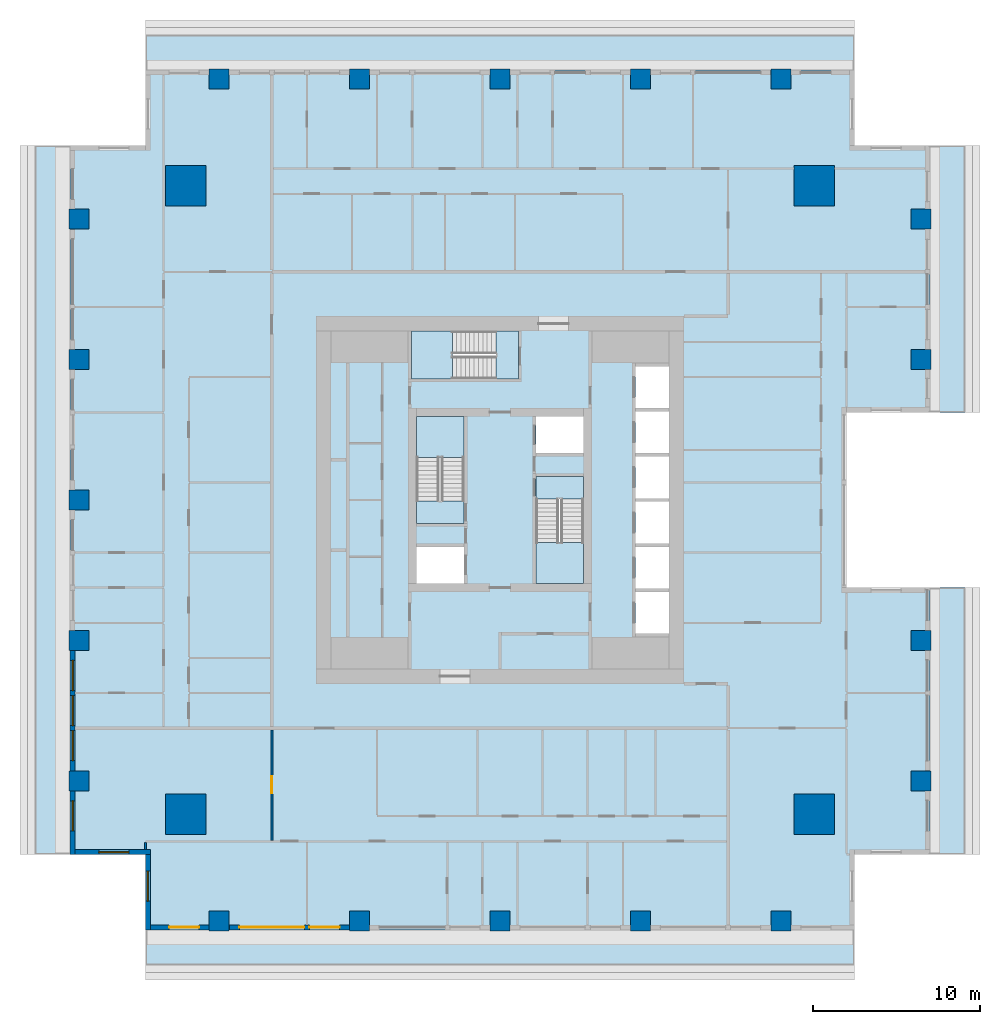
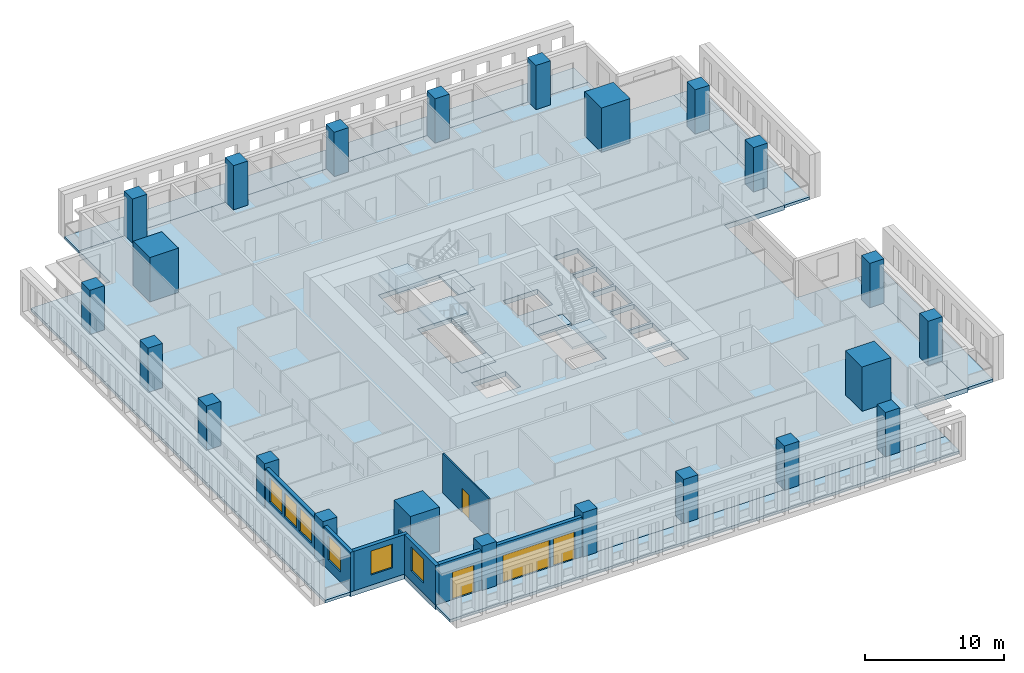
# One storey, part 1 of 15: 23 columns, 12 slabs, 8 walls, 6 windows, 4 doors, 10 openings, 3 elements without a shape of their own.
"""IFC4 building model written with IfcOpenShell, lengths in metres."""

import ifcopenshell
import ifcopenshell.guid

model = None  # the IFC model being written
_history = None  # IfcOwnerHistory: only IFC2X3 demands one
_inside = {}  # id of a spatial element -> (the spatial element, [elements in it])
_under = {}  # id of a project, library or spatial element -> (it, [spatial elements below it])
_declared = {}  # id of a project -> (the project, [libraries it declares])
_typed = {}  # id of a type object -> (the type object, [elements of that type])
_made_of = {}  # id of a material, layer set ... -> (it, [elements and type objects made of it])


def new_model(schema):
    """Start an empty IFC model of exactly this schema.

    Asked for "IFC4X3", IfcOpenShell would pick the latest addendum, in which some entities
    have other attributes; the version numbers below select the first issue.
    IFC2X3 requires an IfcOwnerHistory on every rooted entity: one is made here for all.
    """
    global model, _history
    if schema == "IFC4X3":
        model = ifcopenshell.file(schema_version=(4, 3, 0, 0))
    else:
        model = ifcopenshell.file(schema=schema)
    _inside.clear()
    _under.clear()
    _declared.clear()
    _typed.clear()
    _made_of.clear()
    _history = None
    if model.schema == "IFC2X3":
        org = make("IfcOrganization", Name="unknown")
        user = make(
            "IfcPersonAndOrganization",
            ThePerson=make("IfcPerson", FamilyName="unknown"),
            TheOrganization=org,
        )
        app = make(
            "IfcApplication",
            ApplicationDeveloper=org,
            Version="unknown",
            ApplicationFullName="unknown",
            ApplicationIdentifier="unknown",
        )
        _history = make(
            "IfcOwnerHistory",
            OwningUser=user,
            OwningApplication=app,
            ChangeAction="ADDED",
            CreationDate=0,
        )
    return model


def make(cls, **values):
    """One entity of the class cls with the attributes given. An attribute that is None is left unset."""
    return model.create_entity(
        cls, **{name: value for name, value in values.items() if value is not None}
    )


def rooted(cls, **values):
    """An entity with a GlobalId (a new one), such as an element, a storey or a relation."""
    return make(cls, GlobalId=ifcopenshell.guid.new(), OwnerHistory=_history, **values)


def si_unit(unit_type, name, prefix=None):
    """IfcSIUnit, for example si_unit("LENGTHUNIT", "METRE", prefix="MILLI")."""
    return make("IfcSIUnit", UnitType=unit_type, Prefix=prefix, Name=name)


def assignment(units):
    """IfcUnitAssignment: the units of a project."""
    return None if units is None else make("IfcUnitAssignment", Units=units)


def point(xyz):
    """IfcCartesianPoint."""
    return None if xyz is None else make("IfcCartesianPoint", Coordinates=xyz)


def direction(xyz):
    """IfcDirection."""
    return None if xyz is None else make("IfcDirection", DirectionRatios=xyz)


def frame(location, z_axis=None, x_axis=None):
    """IfcAxis2Placement3D, a coordinate frame: its origin and axes. An axis left out is left unset."""
    return make(
        "IfcAxis2Placement3D",
        Location=point(location),
        Axis=direction(z_axis),
        RefDirection=direction(x_axis),
    )


def frame_2d(location, x_axis=None):
    """IfcAxis2Placement2D, a coordinate frame in the plane: its origin and x axis."""
    return make(
        "IfcAxis2Placement2D", Location=point(location), RefDirection=direction(x_axis)
    )


def origin():
    """The frame at (0, 0, 0) with its axes left unset."""
    return frame((0.0, 0.0, 0.0))


def origin_2d():
    """The frame at (0, 0) in the plane with its x axis left unset."""
    return frame_2d((0.0, 0.0))


def place(relative_to, where):
    """IfcLocalPlacement: puts the frame where relative to a parent placement (None: the world)."""
    return make(
        "IfcLocalPlacement", PlacementRelTo=relative_to, RelativePlacement=where
    )


def context(
    kind, dimensions, precision=None, world=None, true_north=None, identifier=None
):
    """IfcGeometricRepresentationContext, for example the 3D "Model" context."""
    return make(
        "IfcGeometricRepresentationContext",
        ContextIdentifier=identifier,
        ContextType=kind,
        CoordinateSpaceDimension=dimensions,
        Precision=precision,
        WorldCoordinateSystem=world,
        TrueNorth=true_north,
    )


def subcontext(parent, identifier, kind, view, scale=None):
    """IfcGeometricRepresentationSubContext, for example "Body" below "Model"."""
    return make(
        "IfcGeometricRepresentationSubContext",
        ContextIdentifier=identifier,
        ContextType=kind,
        ParentContext=parent,
        TargetScale=scale,
        TargetView=view,
    )


def project(units=None, contexts=None):
    """IfcProject with its units and contexts."""
    return rooted(
        "IfcProject",
        Name="project",
        RepresentationContexts=contexts,
        UnitsInContext=assignment(units),
    )


def spatial(cls, under=None, at=None, **own):
    """A site, building, storey or space (cls), placed at a placement, below another one or the project."""
    s = rooted(cls, ObjectPlacement=at, **own)
    if under is not None:
        _under.setdefault(under.id(), (under, []))[1].append(s)
    return s


def polyline(points):
    """IfcPolyline through the points."""
    return make("IfcPolyline", Points=[point(p) for p in points])


def profile(cls, at=None, kind="AREA", **sizes):
    """A parametric profile (cls). Its sizes go by their IFC names, for example OverallWidth=200.0."""
    return make(cls, ProfileType=kind, Position=at, **sizes)


def rectangle(**sizes):
    """IfcRectangleProfileDef."""
    return profile("IfcRectangleProfileDef", **sizes)


def outline(outer, holes=None, kind="AREA"):
    """IfcArbitraryClosedProfileDef: a profile drawn as a closed curve; with holes, ...WithVoids."""
    if holes is None:
        return make("IfcArbitraryClosedProfileDef", ProfileType=kind, OuterCurve=outer)
    return make(
        "IfcArbitraryProfileDefWithVoids",
        ProfileType=kind,
        OuterCurve=outer,
        InnerCurves=holes,
    )


def extrude(swept, where, along, depth):
    """IfcExtrudedAreaSolid: the profile swept, set in the frame where, extruded along a direction by depth."""
    return make(
        "IfcExtrudedAreaSolid",
        SweptArea=swept,
        Position=where,
        ExtrudedDirection=direction(along),
        Depth=depth,
    )


def shape(context_of_items, identifier, shape_type, items):
    """IfcShapeRepresentation: the items that make up one representation, for example the "Body"."""
    return make(
        "IfcShapeRepresentation",
        ContextOfItems=context_of_items,
        RepresentationIdentifier=identifier,
        RepresentationType=shape_type,
        Items=items,
    )


def material(Name=None, Category=None):
    """IfcMaterial."""
    return make("IfcMaterial", Name=Name, Category=Category)


def layer(
    of_material, thickness, ventilated=None, Name=None, Category=None, Priority=None
):
    """IfcMaterialLayer: one layer of a wall or slab, of a material (None: an air gap)."""
    return make(
        "IfcMaterialLayer",
        Material=of_material,
        LayerThickness=thickness,
        IsVentilated=ventilated,
        Name=Name,
        Category=Category,
        Priority=Priority,
    )


def layer_set(layers, Name=None):
    """IfcMaterialLayerSet."""
    return make("IfcMaterialLayerSet", MaterialLayers=layers, LayerSetName=Name)


def material_profile(
    of_material, cross_section, Name=None, Category=None, Priority=None
):
    """IfcMaterialProfile: a cross section and its material."""
    return make(
        "IfcMaterialProfile",
        Name=Name,
        Material=of_material,
        Profile=cross_section,
        Priority=Priority,
        Category=Category,
    )


def profile_set(profiles, Name=None, composite=None):
    """IfcMaterialProfileSet."""
    return make(
        "IfcMaterialProfileSet",
        Name=Name,
        MaterialProfiles=profiles,
        CompositeProfile=composite,
    )


def made_of(thing, what):
    """Note that an element or type object is made of a material, layer set ...; save() writes the relation."""
    if what is not None:
        _made_of.setdefault(what.id(), (what, []))[1].append(thing)
    return thing


def type_object(cls, material=None, **own):
    """A type object (cls), such as IfcWallType, which elements share."""
    return made_of(rooted(cls, **own), material)


def element(
    cls,
    number,
    at=None,
    inside=None,
    cuts=None,
    type_object=None,
    material=None,
    context=None,
    identifier="Body",
    shape_type=None,
    held_by="IfcProductDefinitionShape",
    body=None,
    shapes=None,
    **own,
):
    """One element of the class cls, such as IfcWall. Its Tag is "e" and its number.

    at: its placement. inside: the storey or other place that contains it. cuts: it is an
    opening in that element (IfcRelVoidsElement). A single representation is given by context,
    identifier, shape_type and body (its items); several are given by shapes. held_by: the class
    of the entity that holds the representations. save() writes the other relations.
    """
    e = rooted(cls, Tag="e%d" % number, ObjectPlacement=at, **own)
    if body is not None:
        shapes = [shape(context, identifier, shape_type, body)]
    if shapes is not None:
        e.Representation = make(held_by, Representations=shapes)
    if inside is not None:
        _inside.setdefault(inside.id(), (inside, []))[1].append(e)
    if cuts is not None:
        rooted(
            "IfcRelVoidsElement", RelatingBuildingElement=cuts, RelatedOpeningElement=e
        )
    if type_object is not None:
        _typed.setdefault(type_object.id(), (type_object, []))[1].append(e)
    return made_of(e, material)


def fill(opening, filler):
    """IfcRelFillsElement: the door or window that sits in an opening."""
    return rooted(
        "IfcRelFillsElement",
        RelatingOpeningElement=opening,
        RelatedBuildingElement=filler,
    )


def aggregate(whole, parts):
    """IfcRelAggregates: a whole, such as a stair, and the parts it consists of."""
    return rooted("IfcRelAggregates", RelatingObject=whole, RelatedObjects=parts)


def save(model, path):
    """Write the relations noted so far, then the file.

    IfcRelAggregates (storeys below a building ...), IfcRelContainedInSpatialStructure (elements
    in a storey), IfcRelDefinesByType, IfcRelAssociatesMaterial and IfcRelDeclares: one each for
    every whole, place, type object, material and project.
    """
    for whole, parts in _under.values():
        aggregate(whole, parts)
    for where, things in _inside.values():
        rooted(
            "IfcRelContainedInSpatialStructure",
            RelatedElements=things,
            RelatingStructure=where,
        )
    for kind, things in _typed.values():
        rooted("IfcRelDefinesByType", RelatedObjects=things, RelatingType=kind)
    for what, things in _made_of.values():
        rooted("IfcRelAssociatesMaterial", RelatedObjects=things, RelatingMaterial=what)
    for by, libraries in _declared.values():
        rooted("IfcRelDeclares", RelatingContext=by, RelatedDefinitions=libraries)
    model.write(path)


model = new_model("IFC4")

# Units and contexts
model_context = context("Model", 3, precision=1e-05, world=origin(), true_north=direction((0.0, 1.0)))
body_context = subcontext(model_context, "Body", "Model", "MODEL_VIEW")
ifc_project = project(units=[si_unit("LENGTHUNIT", "METRE"), si_unit("AREAUNIT", "SQUARE_METRE"), si_unit("VOLUMEUNIT", "CUBIC_METRE"), si_unit("PLANEANGLEUNIT", "RADIAN"), si_unit("MASSUNIT", "GRAM", prefix="KILO")], contexts=[model_context])

# Site, building, storey
site_placement = place(None, origin())
site = spatial("IfcSite", under=ifc_project, at=site_placement, CompositionType="ELEMENT")
building_placement = place(site_placement, origin())
building = spatial("IfcBuilding", under=site, at=building_placement, Name="Khepri Terraces", CompositionType="ELEMENT")
storey_placement = place(building_placement, frame((0.0, 0.0, 200.10009765625)))
storey = spatial("IfcBuildingStorey", under=building, at=storey_placement, Name="L47", CompositionType="ELEMENT", Elevation=200.10009765625)

# Columns
ifc_material_1 = material(Name="Concrete C50/60", Category="concrete")
ifc_material_profile_1 = material_profile(ifc_material_1, rectangle(XDim=2.39990234375, YDim=2.39990234375, at=origin_2d()), Name="Concrete C50/60", Category="concrete")
ifc_profile_set_1 = profile_set([ifc_material_profile_1], Name="Concrete C50/60")
column_type_1 = type_object("IfcColumnType", Name="Mega column RC 2400x2400 C50/60", PredefinedType="COLUMN", material=ifc_profile_set_1)
for number, where, z_axis, x_axis, name in (
    (1, (18.800048828125, 18.800048828125, 0.0), (0.0, 0.0, 1.0), (1.0, 0.0, 0.0), "Mega column MEN L47"),
    (2, (18.800048828125, -18.800048828125, 0.0), (0.0, 0.0, 1.0), (1.0, 0.0, 0.0), "Mega column MES L47"),
    (3, (-18.800048828125, 18.800048828125, 0.0), (0.0, 0.0, 1.0), (1.0, 0.0, 0.0), "Mega column MWN L47"),
    (4, (-18.800048828125, -18.800048828125, 0.0), (0.0, 0.0, 1.0), (1.0, 0.0, 0.0), "Mega column MWS L47"),
):
    element("IfcColumn", number, at=place(storey_placement, frame(where, z_axis=z_axis, x_axis=x_axis)), inside=storey, type_object=column_type_1, Name=name, PredefinedType="COLUMN", context=body_context, shape_type="SweptSolid", body=[
        extrude(rectangle(XDim=2.39990234375, YDim=2.39990234375, at=origin_2d()), origin(), (0.0, 0.0, 1.0), 3.89990234375),
    ])
ifc_material_profile_2 = material_profile(ifc_material_1, rectangle(XDim=1.199951171875, YDim=1.199951171875, at=origin_2d()), Name="Concrete C50/60", Category="concrete")
ifc_profile_set_2 = profile_set([ifc_material_profile_2], Name="Concrete C50/60")
column_type_2 = type_object("IfcColumnType", Name="Tower column RC 1200x1200 C50/60", PredefinedType="COLUMN", material=ifc_profile_set_2)
for number, where, z_axis, x_axis, name in (
    (5, (25.199951171875, 8.39990234375, 0.0), (0.0, 0.0, 1.0), (1.0, 0.0, 0.0), "Perimeter column PE+084a L47"),
    (6, (25.199951171875, 16.800048828125, 0.0), (0.0, 0.0, 1.0), (1.0, 0.0, 0.0), "Perimeter column PE+168a L47"),
    (7, (25.199951171875, -8.39990234375, 0.0), (0.0, 0.0, 1.0), (1.0, 0.0, 0.0), "Perimeter column PE-084a L47"),
    (8, (25.199951171875, -16.800048828125, 0.0), (0.0, 0.0, 1.0), (1.0, 0.0, 0.0), "Perimeter column PE-168a L47"),
    (9, (0.0, 25.199951171875, 0.0), (0.0, 0.0, 1.0), (1.0, 0.0, 0.0), "Perimeter column PN+000b L47"),
    (10, (-8.39990234375, 25.199951171875, 0.0), (0.0, 0.0, 1.0), (1.0, 0.0, 0.0), "Perimeter column PN+084b L47"),
    (11, (-16.800048828125, 25.199951171875, 0.0), (0.0, 0.0, 1.0), (1.0, 0.0, 0.0), "Perimeter column PN+168a L47"),
    (12, (8.39990234375, 25.199951171875, 0.0), (0.0, 0.0, 1.0), (1.0, 0.0, 0.0), "Perimeter column PN-084b L47"),
    (13, (16.800048828125, 25.199951171875, 0.0), (0.0, 0.0, 1.0), (1.0, 0.0, 0.0), "Perimeter column PN-168a L47"),
    (14, (0.0, -25.199951171875, 0.0), (0.0, 0.0, 1.0), (1.0, 0.0, 0.0), "Perimeter column PS+000b L47"),
    (15, (8.39990234375, -25.199951171875, 0.0), (0.0, 0.0, 1.0), (1.0, 0.0, 0.0), "Perimeter column PS+084b L47"),
    (16, (16.800048828125, -25.199951171875, 0.0), (0.0, 0.0, 1.0), (1.0, 0.0, 0.0), "Perimeter column PS+168a L47"),
    (17, (-8.39990234375, -25.199951171875, 0.0), (0.0, 0.0, 1.0), (1.0, 0.0, 0.0), "Perimeter column PS-084b L47"),
    (18, (-16.800048828125, -25.199951171875, 0.0), (0.0, 0.0, 1.0), (1.0, 0.0, 0.0), "Perimeter column PS-168a L47"),
    (19, (-25.199951171875, 0.0, 0.0), (0.0, 0.0, 1.0), (1.0, 0.0, 0.0), "Perimeter column PW+000b L47"),
    (20, (-25.199951171875, -8.39990234375, 0.0), (0.0, 0.0, 1.0), (1.0, 0.0, 0.0), "Perimeter column PW+084b L47"),
    (21, (-25.199951171875, -16.800048828125, 0.0), (0.0, 0.0, 1.0), (1.0, 0.0, 0.0), "Perimeter column PW+168a L47"),
    (22, (-25.199951171875, 8.39990234375, 0.0), (0.0, 0.0, 1.0), (1.0, 0.0, 0.0), "Perimeter column PW-084b L47"),
    (23, (-25.199951171875, 16.800048828125, 0.0), (0.0, 0.0, 1.0), (1.0, 0.0, 0.0), "Perimeter column PW-168a L47"),
):
    element("IfcColumn", number, at=place(storey_placement, frame(where, z_axis=z_axis, x_axis=x_axis)), inside=storey, type_object=column_type_2, Name=name, PredefinedType="COLUMN", context=body_context, shape_type="SweptSolid", body=[
        extrude(rectangle(XDim=1.199951171875, YDim=1.199951171875, at=origin_2d()), origin(), (0.0, 0.0, 1.0), 3.89990234375),
    ])

# Slabs
ifc_material_2 = material(Name="Concrete C40/50", Category="concrete")
ifc_layer_1 = layer(ifc_material_2, 0.419921875, Name="Concrete C40/50", Category="concrete")
ifc_layer_set_1 = layer_set([ifc_layer_1], Name="Concrete C40/50")
slab_type_1 = type_object("IfcSlabType", Name="Flat plate 420", PredefinedType="FLOOR", material=ifc_layer_set_1)
slab_1_placement = place(storey_placement, frame((0.0, 0.0, -0.420166015625)))
element("IfcSlab", 24, at=slab_1_placement, inside=storey, type_object=slab_type_1, Name="Floor slab F01 L47", PredefinedType="FLOOR", context=body_context, shape_type="SweptSolid", body=[
    extrude(outline(polyline([(25.719970703125, 5.25), (20.719970703125, 5.25), (20.719970703125, -5.25), (25.719970703125, -5.25), (25.719970703125, -21.219970703125), (21.219970703125, -21.219970703125), (21.219970703125, -25.719970703125), (-21.219970703125, -25.719970703125), (-21.219970703125, -21.219970703125), (-25.719970703125, -21.219970703125), (-25.719970703125, 21.219970703125), (-21.219970703125, 21.219970703125), (-21.219970703125, 25.719970703125), (21.219970703125, 25.719970703125), (21.219970703125, 21.219970703125), (25.719970703125, 21.219970703125), (25.719970703125, 5.25)]), holes=[polyline([(2.14990234375, 2.800048828125), (5.0, 2.800048828125), (5.0, 5.0), (2.14990234375, 5.0), (2.14990234375, 2.800048828125)]), polyline([(-5.0, -2.800048828125), (-5.0, -5.0), (-2.14990234375, -5.0), (-2.14990234375, -2.800048828125), (-5.0, -2.800048828125)]), polyline([(10.10009765625, -5.5), (8.10009765625, -5.5), (8.10009765625, -8.0), (10.10009765625, -8.0), (10.10009765625, -5.5)]), polyline([(10.10009765625, -5.300048828125), (10.10009765625, -2.800048828125), (8.10009765625, -2.800048828125), (8.10009765625, -5.300048828125), (10.10009765625, -5.300048828125)]), polyline([(8.10009765625, -2.60009765625), (10.10009765625, -2.60009765625), (10.10009765625, -0.10009765625), (8.10009765625, -0.10009765625), (8.10009765625, -2.60009765625)]), polyline([(8.10009765625, 2.60009765625), (8.10009765625, 0.10009765625), (10.10009765625, 0.10009765625), (10.10009765625, 2.60009765625), (8.10009765625, 2.60009765625)]), polyline([(10.10009765625, 5.300048828125), (8.10009765625, 5.300048828125), (8.10009765625, 2.800048828125), (10.10009765625, 2.800048828125), (10.10009765625, 5.300048828125)]), polyline([(10.10009765625, 5.5), (10.10009765625, 8.0), (8.10009765625, 8.0), (8.10009765625, 5.5), (10.10009765625, 5.5)]), polyline([(-5.0, -1.39990234375), (-2.14990234375, -1.39990234375), (-2.14990234375, 5.0), (-5.0, 5.0), (-5.0, -1.39990234375)]), polyline([(5.0, -5.0), (5.0, 1.39990234375), (2.14990234375, 1.39990234375), (2.14990234375, -5.0), (5.0, -5.0)]), polyline([(-5.300048828125, 10.10009765625), (-5.300048828125, 7.25), (1.10009765625, 7.25), (1.10009765625, 10.10009765625), (-5.300048828125, 10.10009765625)])]), origin(), (0.0, 0.0, 1.0), 0.420166015625),
])
ifc_material_3 = material(Name="Precast concrete C50/60 warm stone", Category="masonry")
ifc_layer_2 = layer(ifc_material_3, 0.25, Name="Precast concrete C50/60 warm stone", Category="masonry")
ifc_layer_set_2 = layer_set([ifc_layer_2], Name="Precast concrete C50/60 warm stone")
slab_type_2 = type_object("IfcSlabType", Name="SLB-BALCONY-250", PredefinedType="FLOOR", material=ifc_layer_set_2)
slab_2_placement = place(storey_placement, frame((0.0, 0.0, -0.25)))
element("IfcSlab", 25, at=slab_2_placement, inside=storey, type_object=slab_type_2, Name="Balcony slab L47 S", PredefinedType="FLOOR", context=body_context, shape_type="SweptSolid", body=[
    extrude(outline(polyline([(-17.39990234375, -25.719970703125), (-21.219970703125, -25.719970703125), (-21.219970703125, -27.820068359375), (21.219970703125, -27.820068359375), (21.219970703125, -25.719970703125), (17.39990234375, -25.719970703125), (17.39990234375, -25.800048828125), (16.199951171875, -25.800048828125), (16.199951171875, -25.719970703125), (9.0, -25.719970703125), (9.0, -25.800048828125), (7.800048828125, -25.800048828125), (7.800048828125, -25.719970703125), (0.60009765625, -25.719970703125), (0.60009765625, -25.800048828125), (-0.60009765625, -25.800048828125), (-0.60009765625, -25.719970703125), (-7.800048828125, -25.719970703125), (-7.800048828125, -25.800048828125), (-9.0, -25.800048828125), (-9.0, -25.719970703125), (-16.199951171875, -25.719970703125), (-16.199951171875, -25.800048828125), (-17.39990234375, -25.800048828125), (-17.39990234375, -25.719970703125)])), origin(), (0.0, 0.0, 1.0), 0.25),
])
slab_3_placement = place(storey_placement, frame((0.0, 0.0, -0.25)))
element("IfcSlab", 26, at=slab_3_placement, inside=storey, type_object=slab_type_2, Name="Balcony slab L47 E", PredefinedType="FLOOR", context=body_context, shape_type="SweptSolid", body=[
    extrude(outline(polyline([(25.719970703125, -17.39990234375), (25.719970703125, -21.219970703125), (27.820068359375, -21.219970703125), (27.820068359375, -5.25), (25.719970703125, -5.25), (25.719970703125, -7.800048828125), (25.800048828125, -7.800048828125), (25.800048828125, -9.0), (25.719970703125, -9.0), (25.719970703125, -16.199951171875), (25.800048828125, -16.199951171875), (25.800048828125, -17.39990234375), (25.719970703125, -17.39990234375)])), origin(), (0.0, 0.0, 1.0), 0.25),
])
slab_4_placement = place(storey_placement, frame((0.0, 0.0, -0.25)))
element("IfcSlab", 27, at=slab_4_placement, inside=storey, type_object=slab_type_2, Name="Balcony slab L47 E", PredefinedType="FLOOR", context=body_context, shape_type="SweptSolid", body=[
    extrude(outline(polyline([(25.719970703125, 7.800048828125), (25.719970703125, 5.25), (27.820068359375, 5.25), (27.820068359375, 21.219970703125), (25.719970703125, 21.219970703125), (25.719970703125, 17.39990234375), (25.800048828125, 17.39990234375), (25.800048828125, 16.199951171875), (25.719970703125, 16.199951171875), (25.719970703125, 9.0), (25.800048828125, 9.0), (25.800048828125, 7.800048828125), (25.719970703125, 7.800048828125)])), origin(), (0.0, 0.0, 1.0), 0.25),
])
slab_5_placement = place(storey_placement, frame((0.0, 0.0, -0.25)))
element("IfcSlab", 28, at=slab_5_placement, inside=storey, type_object=slab_type_2, Name="Balcony slab L47 N", PredefinedType="FLOOR", context=body_context, shape_type="SweptSolid", body=[
    extrude(outline(polyline([(17.39990234375, 25.719970703125), (21.219970703125, 25.719970703125), (21.219970703125, 27.820068359375), (-21.219970703125, 27.820068359375), (-21.219970703125, 25.719970703125), (-17.39990234375, 25.719970703125), (-17.39990234375, 25.800048828125), (-16.199951171875, 25.800048828125), (-16.199951171875, 25.719970703125), (-9.0, 25.719970703125), (-9.0, 25.800048828125), (-7.800048828125, 25.800048828125), (-7.800048828125, 25.719970703125), (-0.60009765625, 25.719970703125), (-0.60009765625, 25.800048828125), (0.60009765625, 25.800048828125), (0.60009765625, 25.719970703125), (7.800048828125, 25.719970703125), (7.800048828125, 25.800048828125), (9.0, 25.800048828125), (9.0, 25.719970703125), (16.199951171875, 25.719970703125), (16.199951171875, 25.800048828125), (17.39990234375, 25.800048828125), (17.39990234375, 25.719970703125)])), origin(), (0.0, 0.0, 1.0), 0.25),
])
slab_6_placement = place(storey_placement, frame((0.0, 0.0, -0.25)))
element("IfcSlab", 29, at=slab_6_placement, inside=storey, type_object=slab_type_2, Name="Balcony slab L47 W", PredefinedType="FLOOR", context=body_context, shape_type="SweptSolid", body=[
    extrude(outline(polyline([(-25.719970703125, 17.39990234375), (-25.719970703125, 21.219970703125), (-27.820068359375, 21.219970703125), (-27.820068359375, -21.219970703125), (-25.719970703125, -21.219970703125), (-25.719970703125, -17.39990234375), (-25.800048828125, -17.39990234375), (-25.800048828125, -16.199951171875), (-25.719970703125, -16.199951171875), (-25.719970703125, -9.0), (-25.800048828125, -9.0), (-25.800048828125, -7.800048828125), (-25.719970703125, -7.800048828125), (-25.719970703125, -0.60009765625), (-25.800048828125, -0.60009765625), (-25.800048828125, 0.60009765625), (-25.719970703125, 0.60009765625), (-25.719970703125, 7.800048828125), (-25.800048828125, 7.800048828125), (-25.800048828125, 9.0), (-25.719970703125, 9.0), (-25.719970703125, 16.199951171875), (-25.800048828125, 16.199951171875), (-25.800048828125, 17.39990234375), (-25.719970703125, 17.39990234375)])), origin(), (0.0, 0.0, 1.0), 0.25),
])

# Stair, slabs
stair_type = type_object("IfcStairType", Name="STAIR-RC-22R", PredefinedType="HALF_TURN_STAIR", material=ifc_material_2)
stair_1_placement = place(storey_placement, origin())
stair_1 = element("IfcStair", 30, at=stair_1_placement, inside=storey, type_object=stair_type, Name="L47 Exit Stair ST-1", PredefinedType="HALF_TURN_STAIR")
ifc_layer_3 = layer(ifc_material_2, 0.199951171875, Name="Concrete C40/50", Category="concrete")
ifc_layer_set_3 = layer_set([ifc_layer_3], Name="Concrete C40/50")
slab_type_3 = type_object("IfcSlabType", Name="SLB-CORE-LANDING", PredefinedType="LANDING", material=ifc_layer_set_3)
slab_7_placement = place(storey_placement, frame((0.0, 0.0, -0.2001953125)))
slab_7 = element("IfcSlab", 31, at=slab_7_placement, type_object=slab_type_3, Name="ST-1 landing 1", PredefinedType="LANDING", context=body_context, shape_type="SweptSolid", body=[
    extrude(outline(polyline([(-2.14990234375, -1.39990234375), (-2.14990234375, -0.050048828125), (-5.0, -0.050048828125), (-5.0, -1.39990234375), (-2.14990234375, -1.39990234375)])), origin(), (0.0, 0.0, 1.0), 0.2001953125),
])
slab_8_placement = place(storey_placement, frame((0.0, 0.0, 1.75)))
slab_8 = element("IfcSlab", 32, at=slab_8_placement, type_object=slab_type_3, Name="ST-1 landing 2", PredefinedType="LANDING", context=body_context, shape_type="SweptSolid", body=[
    extrude(outline(polyline([(-2.14990234375, 2.550048828125), (-2.14990234375, 5.0), (-5.0, 5.0), (-5.0, 2.550048828125), (-2.14990234375, 2.550048828125)])), origin(), (0.0, 0.0, 1.0), 0.199951171875),
])
aggregate(stair_1, [slab_7, slab_8])

stair_2_placement = place(storey_placement, origin())
stair_2 = element("IfcStair", 33, at=stair_2_placement, inside=storey, type_object=stair_type, Name="L47 Exit Stair ST-2", PredefinedType="HALF_TURN_STAIR")
slab_9_placement = place(storey_placement, frame((0.0, 0.0, -0.2001953125)))
slab_9 = element("IfcSlab", 34, at=slab_9_placement, type_object=slab_type_3, Name="ST-2 landing 1", PredefinedType="LANDING", context=body_context, shape_type="SweptSolid", body=[
    extrude(outline(polyline([(2.14990234375, 1.39990234375), (2.14990234375, 0.050048828125), (5.0, 0.050048828125), (5.0, 1.39990234375), (2.14990234375, 1.39990234375)])), origin(), (0.0, 0.0, 1.0), 0.2001953125),
])
slab_10_placement = place(storey_placement, frame((0.0, 0.0, 1.75)))
slab_10 = element("IfcSlab", 35, at=slab_10_placement, type_object=slab_type_3, Name="ST-2 landing 2", PredefinedType="LANDING", context=body_context, shape_type="SweptSolid", body=[
    extrude(outline(polyline([(2.14990234375, -2.550048828125), (2.14990234375, -5.0), (5.0, -5.0), (5.0, -2.550048828125), (2.14990234375, -2.550048828125)])), origin(), (0.0, 0.0, 1.0), 0.199951171875),
])
aggregate(stair_2, [slab_9, slab_10])

stair_3_placement = place(storey_placement, origin())
stair_3 = element("IfcStair", 36, at=stair_3_placement, inside=storey, type_object=stair_type, Name="L47 Exit Stair ST-3", PredefinedType="HALF_TURN_STAIR")
slab_11_placement = place(storey_placement, frame((0.0, 0.0, -0.2001953125)))
slab_11 = element("IfcSlab", 37, at=slab_11_placement, type_object=slab_type_3, Name="ST-3 landing 1", PredefinedType="LANDING", context=body_context, shape_type="SweptSolid", body=[
    extrude(outline(polyline([(1.10009765625, 10.10009765625), (-0.25, 10.10009765625), (-0.25, 7.25), (1.10009765625, 7.25), (1.10009765625, 10.10009765625)])), origin(), (0.0, 0.0, 1.0), 0.2001953125),
])
slab_12_placement = place(storey_placement, frame((0.0, 0.0, 1.75)))
slab_12 = element("IfcSlab", 38, at=slab_12_placement, type_object=slab_type_3, Name="ST-3 landing 2", PredefinedType="LANDING", context=body_context, shape_type="SweptSolid", body=[
    extrude(outline(polyline([(-2.85009765625, 10.10009765625), (-5.300048828125, 10.10009765625), (-5.300048828125, 7.25), (-2.85009765625, 7.25), (-2.85009765625, 10.10009765625)])), origin(), (0.0, 0.0, 1.0), 0.199951171875),
])
aggregate(stair_3, [slab_11, slab_12])

# Wall, openings, windows
ifc_layer_4 = layer(ifc_material_3, 0.300048828125, Name="Precast concrete C50/60 warm stone", Category="masonry")
ifc_layer_set_4 = layer_set([ifc_layer_4], Name="Precast concrete C50/60 warm stone")
wall_type_1 = type_object("IfcWallType", Name="WL-EXT-PRECAST-300", PredefinedType="STANDARD", material=ifc_layer_set_4)
wall_1_placement = place(storey_placement, frame((-25.570068359375, -9.0, 0.0), z_axis=(0.0, 0.0, 1.0), x_axis=(0.0, -1.0, 0.0)))
wall_1 = element("IfcWall", 39, at=wall_1_placement, inside=storey, type_object=wall_type_1, Name="External wall L47 W", PredefinedType="STANDARD", context=body_context, shape_type="SweptSolid", body=[
    extrude(rectangle(XDim=7.199951171875, YDim=0.300048828125, at=frame_2d((3.60009765625, 0.0))), origin(), (0.0, 0.0, 1.0), 3.47998046875),
])
opening_1_placement = place(wall_1_placement, frame((0.60009765625, 0.0, 0.89990234375)))
opening_1 = element("IfcOpeningElement", 40, at=opening_1_placement, cuts=wall_1, Name="Opening W1", PredefinedType="OPENING", context=body_context, shape_type="SweptSolid", body=[
    extrude(rectangle(XDim=1.800048828125, YDim=2.10009765625, at=frame_2d((0.89990234375, 1.050048828125))), frame((0.0, 0.16015625, 0.0), z_axis=(0.0, -1.0, 0.0), x_axis=(1.0, 0.0, 0.0)), (0.0, 0.0, 1.0), 0.320068359375),
])
opening_2_placement = place(wall_1_placement, frame((2.699951171875, 0.0, 0.89990234375)))
opening_2 = element("IfcOpeningElement", 41, at=opening_2_placement, cuts=wall_1, Name="Opening W1", PredefinedType="OPENING", context=body_context, shape_type="SweptSolid", body=[
    extrude(rectangle(XDim=1.800048828125, YDim=2.10009765625, at=frame_2d((0.89990234375, 1.050048828125))), frame((0.0, 0.16015625, 0.0), z_axis=(0.0, -1.0, 0.0), x_axis=(1.0, 0.0, 0.0)), (0.0, 0.0, 1.0), 0.320068359375),
])
opening_3_placement = place(wall_1_placement, frame((4.800048828125, 0.0, 0.89990234375)))
opening_3 = element("IfcOpeningElement", 42, at=opening_3_placement, cuts=wall_1, Name="Opening W1", PredefinedType="OPENING", context=body_context, shape_type="SweptSolid", body=[
    extrude(rectangle(XDim=1.800048828125, YDim=2.10009765625, at=frame_2d((0.89990234375, 1.050048828125))), frame((0.0, 0.16015625, 0.0), z_axis=(0.0, -1.0, 0.0), x_axis=(1.0, 0.0, 0.0)), (0.0, 0.0, 1.0), 0.320068359375),
])
ifc_material_4 = material(Name="Clear glass", Category="glass")
window_type = type_object("IfcWindowType", Name="WIN-RES-1800x2100", PartitioningType="SINGLE_PANEL", PredefinedType="WINDOW", material=ifc_material_4)
window_1_placement = place(opening_1_placement, origin())
window_1 = element("IfcWindow", 43, at=window_1_placement, inside=storey, type_object=window_type, Name="Window L47 W", OverallHeight=2.10009765625, OverallWidth=1.800048828125, PartitioningType="SINGLE_PANEL", PredefinedType="WINDOW", context=body_context, shape_type="SweptSolid", body=[
    extrude(rectangle(XDim=1.800048828125, YDim=2.10009765625, at=frame_2d((0.89990234375, 1.050048828125))), frame((0.0, 0.030029296875, 0.0), z_axis=(0.0, -1.0, 0.0), x_axis=(1.0, 0.0, 0.0)), (0.0, 0.0, 1.0), 0.06005859375),
])
fill(opening_1, window_1)
window_2_placement = place(opening_2_placement, origin())
window_2 = element("IfcWindow", 44, at=window_2_placement, inside=storey, type_object=window_type, Name="Window L47 W", OverallHeight=2.10009765625, OverallWidth=1.800048828125, PartitioningType="SINGLE_PANEL", PredefinedType="WINDOW", context=body_context, shape_type="SweptSolid", body=[
    extrude(rectangle(XDim=1.800048828125, YDim=2.10009765625, at=frame_2d((0.89990234375, 1.050048828125))), frame((0.0, 0.030029296875, 0.0), z_axis=(0.0, -1.0, 0.0), x_axis=(1.0, 0.0, 0.0)), (0.0, 0.0, 1.0), 0.06005859375),
])
fill(opening_2, window_2)
window_3_placement = place(opening_3_placement, origin())
window_3 = element("IfcWindow", 45, at=window_3_placement, inside=storey, type_object=window_type, Name="Window L47 W", OverallHeight=2.10009765625, OverallWidth=1.800048828125, PartitioningType="SINGLE_PANEL", PredefinedType="WINDOW", context=body_context, shape_type="SweptSolid", body=[
    extrude(rectangle(XDim=1.800048828125, YDim=2.10009765625, at=frame_2d((0.89990234375, 1.050048828125))), frame((0.0, 0.030029296875, 0.0), z_axis=(0.0, -1.0, 0.0), x_axis=(1.0, 0.0, 0.0)), (0.0, 0.0, 1.0), 0.06005859375),
])
fill(opening_3, window_3)

# Wall, opening, window
wall_2_placement = place(storey_placement, frame((-25.570068359375, -17.39990234375, 0.0), z_axis=(0.0, 0.0, 1.0), x_axis=(0.0, -1.0, 0.0)))
wall_2 = element("IfcWall", 46, at=wall_2_placement, inside=storey, type_object=wall_type_1, Name="External wall L47 W", PredefinedType="STANDARD", context=body_context, shape_type="SweptSolid", body=[
    extrude(rectangle(XDim=3.820068359375, YDim=0.300048828125, at=frame_2d((1.91015625, 0.0))), origin(), (0.0, 0.0, 1.0), 3.47998046875),
])
opening_4_placement = place(wall_2_placement, frame((0.60009765625, 0.0, 0.89990234375)))
opening_4 = element("IfcOpeningElement", 47, at=opening_4_placement, cuts=wall_2, Name="Opening W1", PredefinedType="OPENING", context=body_context, shape_type="SweptSolid", body=[
    extrude(rectangle(XDim=1.800048828125, YDim=2.10009765625, at=frame_2d((0.89990234375, 1.050048828125))), frame((0.0, 0.16015625, 0.0), z_axis=(0.0, -1.0, 0.0), x_axis=(1.0, 0.0, 0.0)), (0.0, 0.0, 1.0), 0.320068359375),
])
window_4_placement = place(opening_4_placement, origin())
window_4 = element("IfcWindow", 48, at=window_4_placement, inside=storey, type_object=window_type, Name="Window L47 W", OverallHeight=2.10009765625, OverallWidth=1.800048828125, PartitioningType="SINGLE_PANEL", PredefinedType="WINDOW", context=body_context, shape_type="SweptSolid", body=[
    extrude(rectangle(XDim=1.800048828125, YDim=2.10009765625, at=frame_2d((0.89990234375, 1.050048828125))), frame((0.0, 0.030029296875, 0.0), z_axis=(0.0, -1.0, 0.0), x_axis=(1.0, 0.0, 0.0)), (0.0, 0.0, 1.0), 0.06005859375),
])
fill(opening_4, window_4)

wall_3_placement = place(storey_placement, frame((-25.419921875, -21.070068359375, 0.0), z_axis=(0.0, 0.0, 1.0), x_axis=(1.0, 0.0, 0.0)))
wall_3 = element("IfcWall", 49, at=wall_3_placement, inside=storey, type_object=wall_type_1, Name="External wall L47 S", PredefinedType="STANDARD", context=body_context, shape_type="SweptSolid", body=[
    extrude(rectangle(XDim=4.5, YDim=0.300048828125, at=frame_2d((2.25, 0.0))), origin(), (0.0, 0.0, 1.0), 3.47998046875),
])
opening_5_placement = place(wall_3_placement, frame((1.419921875, 0.0, 0.89990234375)))
opening_5 = element("IfcOpeningElement", 50, at=opening_5_placement, cuts=wall_3, Name="Opening W1", PredefinedType="OPENING", context=body_context, shape_type="SweptSolid", body=[
    extrude(rectangle(XDim=1.800048828125, YDim=2.10009765625, at=frame_2d((0.89990234375, 1.050048828125))), frame((0.0, 0.16015625, 0.0), z_axis=(0.0, -1.0, 0.0), x_axis=(1.0, 0.0, 0.0)), (0.0, 0.0, 1.0), 0.320068359375),
])
window_5_placement = place(opening_5_placement, origin())
window_5 = element("IfcWindow", 51, at=window_5_placement, inside=storey, type_object=window_type, Name="Window L47 S", OverallHeight=2.10009765625, OverallWidth=1.800048828125, PartitioningType="SINGLE_PANEL", PredefinedType="WINDOW", context=body_context, shape_type="SweptSolid", body=[
    extrude(rectangle(XDim=1.800048828125, YDim=2.10009765625, at=frame_2d((0.89990234375, 1.050048828125))), frame((0.0, 0.030029296875, 0.0), z_axis=(0.0, -1.0, 0.0), x_axis=(1.0, 0.0, 0.0)), (0.0, 0.0, 1.0), 0.06005859375),
])
fill(opening_5, window_5)

wall_4_placement = place(storey_placement, frame((-21.070068359375, -21.219970703125, 0.0), z_axis=(0.0, 0.0, 1.0), x_axis=(0.0, -1.0, 0.0)))
wall_4 = element("IfcWall", 52, at=wall_4_placement, inside=storey, type_object=wall_type_1, Name="External wall L47 W", PredefinedType="STANDARD", context=body_context, shape_type="SweptSolid", body=[
    extrude(rectangle(XDim=4.5, YDim=0.300048828125, at=frame_2d((2.25, 0.0))), origin(), (0.0, 0.0, 1.0), 3.47998046875),
])
opening_6_placement = place(wall_4_placement, frame((0.97998046875, 0.0, 0.89990234375)))
opening_6 = element("IfcOpeningElement", 53, at=opening_6_placement, cuts=wall_4, Name="Opening W1", PredefinedType="OPENING", context=body_context, shape_type="SweptSolid", body=[
    extrude(rectangle(XDim=1.800048828125, YDim=2.10009765625, at=frame_2d((0.89990234375, 1.050048828125))), frame((0.0, 0.16015625, 0.0), z_axis=(0.0, -1.0, 0.0), x_axis=(1.0, 0.0, 0.0)), (0.0, 0.0, 1.0), 0.320068359375),
])
window_6_placement = place(opening_6_placement, origin())
window_6 = element("IfcWindow", 54, at=window_6_placement, inside=storey, type_object=window_type, Name="Window L47 W", OverallHeight=2.10009765625, OverallWidth=1.800048828125, PartitioningType="SINGLE_PANEL", PredefinedType="WINDOW", context=body_context, shape_type="SweptSolid", body=[
    extrude(rectangle(XDim=1.800048828125, YDim=2.10009765625, at=frame_2d((0.89990234375, 1.050048828125))), frame((0.0, 0.030029296875, 0.0), z_axis=(0.0, -1.0, 0.0), x_axis=(1.0, 0.0, 0.0)), (0.0, 0.0, 1.0), 0.06005859375),
])
fill(opening_6, window_6)

# Wall, opening, door
wall_5_placement = place(storey_placement, frame((-20.919921875, -25.570068359375, 0.0), z_axis=(0.0, 0.0, 1.0), x_axis=(1.0, 0.0, 0.0)))
wall_5 = element("IfcWall", 55, at=wall_5_placement, inside=storey, type_object=wall_type_1, Name="External wall L47 S", PredefinedType="STANDARD", context=body_context, shape_type="SweptSolid", body=[
    extrude(rectangle(XDim=3.52001953125, YDim=0.300048828125, at=frame_2d((1.760009765625, 0.0))), origin(), (0.0, 0.0, 1.0), 3.47998046875),
])
opening_7_placement = place(wall_5_placement, frame((1.1201171875, 0.0, 0.0)))
opening_7 = element("IfcOpeningElement", 56, at=opening_7_placement, cuts=wall_5, Name="Opening ED-L47-15", PredefinedType="OPENING", context=body_context, shape_type="SweptSolid", body=[
    extrude(rectangle(XDim=1.800048828125, YDim=2.39990234375, at=frame_2d((0.89990234375, 1.199951171875))), frame((0.0, 0.16015625, 0.0), z_axis=(0.0, -1.0, 0.0), x_axis=(1.0, 0.0, 0.0)), (0.0, 0.0, 1.0), 0.320068359375),
])
ifc_material_5 = material(Name="Anodised aluminium bronze glazed door", Category="aluminium")
door_type_1 = type_object("IfcDoorType", Name="DR-BAL-SLIDE-1800x2400", OperationType="NOTDEFINED", PredefinedType="DOOR", material=ifc_material_5)
door_1_placement = place(opening_7_placement, origin())
door_1 = element("IfcDoor", 57, at=door_1_placement, inside=storey, type_object=door_type_1, Name="Balcony door L47 S", OperationType="SLIDING_TO_RIGHT", OverallHeight=2.39990234375, OverallWidth=1.800048828125, PredefinedType="DOOR", context=body_context, shape_type="SweptSolid", body=[
    extrude(rectangle(XDim=1.800048828125, YDim=2.39990234375, at=frame_2d((0.89990234375, 1.199951171875))), frame((0.0, 0.02490234375, 0.0), z_axis=(0.0, -1.0, 0.0), x_axis=(1.0, 0.0, 0.0)), (0.0, 0.0, 1.0), 0.050048828125),
])
fill(opening_7, door_1)

# Wall, openings, doors
wall_6_placement = place(storey_placement, frame((-16.199951171875, -25.570068359375, 0.0), z_axis=(0.0, 0.0, 1.0), x_axis=(1.0, 0.0, 0.0)))
wall_6 = element("IfcWall", 58, at=wall_6_placement, inside=storey, type_object=wall_type_1, Name="External wall L47 S", PredefinedType="STANDARD", context=body_context, shape_type="SweptSolid", body=[
    extrude(rectangle(XDim=7.199951171875, YDim=0.300048828125, at=frame_2d((3.60009765625, 0.0))), origin(), (0.0, 0.0, 1.0), 3.47998046875),
])
opening_8_placement = place(wall_6_placement, frame((0.60009765625, 0.0, 0.0)))
opening_8 = element("IfcOpeningElement", 59, at=opening_8_placement, cuts=wall_6, Name="Opening ED-L47-16", PredefinedType="OPENING", context=body_context, shape_type="SweptSolid", body=[
    extrude(rectangle(XDim=3.89990234375, YDim=2.39990234375, at=frame_2d((1.949951171875, 1.199951171875))), frame((0.0, 0.16015625, 0.0), z_axis=(0.0, -1.0, 0.0), x_axis=(1.0, 0.0, 0.0)), (0.0, 0.0, 1.0), 0.320068359375),
])
opening_9_placement = place(wall_6_placement, frame((4.800048828125, 0.0, 0.0)))
opening_9 = element("IfcOpeningElement", 60, at=opening_9_placement, cuts=wall_6, Name="Opening ED-L47-17", PredefinedType="OPENING", context=body_context, shape_type="SweptSolid", body=[
    extrude(rectangle(XDim=1.800048828125, YDim=2.39990234375, at=frame_2d((0.89990234375, 1.199951171875))), frame((0.0, 0.16015625, 0.0), z_axis=(0.0, -1.0, 0.0), x_axis=(1.0, 0.0, 0.0)), (0.0, 0.0, 1.0), 0.320068359375),
])
door_2_placement = place(opening_9_placement, origin())
door_2 = element("IfcDoor", 61, at=door_2_placement, inside=storey, type_object=door_type_1, Name="Balcony door L47 S", OperationType="SLIDING_TO_RIGHT", OverallHeight=2.39990234375, OverallWidth=1.800048828125, PredefinedType="DOOR", context=body_context, shape_type="SweptSolid", body=[
    extrude(rectangle(XDim=1.800048828125, YDim=2.39990234375, at=frame_2d((0.89990234375, 1.199951171875))), frame((0.0, 0.02490234375, 0.0), z_axis=(0.0, -1.0, 0.0), x_axis=(1.0, 0.0, 0.0)), (0.0, 0.0, 1.0), 0.050048828125),
])
fill(opening_9, door_2)
door_type_2 = type_object("IfcDoorType", Name="DR-BAL-SLIDE-3900x2400", OperationType="NOTDEFINED", PredefinedType="DOOR", material=ifc_material_5)
door_3_placement = place(opening_8_placement, origin())
door_3 = element("IfcDoor", 62, at=door_3_placement, inside=storey, type_object=door_type_2, Name="Balcony door L47 S", OperationType="SLIDING_TO_LEFT", OverallHeight=2.39990234375, OverallWidth=3.89990234375, PredefinedType="DOOR", context=body_context, shape_type="SweptSolid", body=[
    extrude(rectangle(XDim=3.89990234375, YDim=2.39990234375, at=frame_2d((1.949951171875, 1.199951171875))), frame((0.0, 0.02490234375, 0.0), z_axis=(0.0, -1.0, 0.0), x_axis=(1.0, 0.0, 0.0)), (0.0, 0.0, 1.0), 0.050048828125),
])
fill(opening_8, door_3)

# Wall
ifc_material_6 = material(Name="Gypsum plasterboard partition")
ifc_layer_5 = layer(ifc_material_6, 0.1201171875, Name="Gypsum plasterboard partition")
ifc_layer_set_5 = layer_set([ifc_layer_5], Name="Gypsum plasterboard partition")
wall_type_2 = type_object("IfcWallType", Name="WL-PART-120", PredefinedType="PARTITIONING", material=ifc_layer_set_5)
wall_7_placement = place(storey_placement, frame((-21.218994140625, -20.9208984375, 0.0), z_axis=(0.0, 0.0, 1.0), x_axis=(0.0, 1.0, 0.0)))
element("IfcWall", 63, at=wall_7_placement, inside=storey, type_object=wall_type_2, Name="Partition P-008 L47", PredefinedType="PARTITIONING", context=body_context, shape_type="SweptSolid", body=[
    extrude(rectangle(XDim=0.44091796875, YDim=0.1201171875, at=frame_2d((0.220458984375, 0.0))), origin(), (0.0, 0.0, 1.0), 3.47998046875),
])

# Wall, opening, door
wall_8_placement = place(storey_placement, frame((-13.64990234375, -20.360107421875, 0.0), z_axis=(0.0, 0.0, 1.0), x_axis=(0.0, 1.0, 0.0)))
wall_8 = element("IfcWall", 64, at=wall_8_placement, inside=storey, type_object=wall_type_2, Name="Partition P-012 L47", PredefinedType="PARTITIONING", context=body_context, shape_type="SweptSolid", body=[
    extrude(rectangle(XDim=6.610107421875, YDim=0.1201171875, at=frame_2d((3.30517578125, 0.0))), origin(), (0.0, 0.0, 1.0), 3.47998046875),
])
opening_10_placement = place(wall_8_placement, frame((2.824951171875, 0.0, 0.0)))
opening_10 = element("IfcOpeningElement", 65, at=opening_10_placement, cuts=wall_8, Name="Opening D2", PredefinedType="OPENING", context=body_context, shape_type="SweptSolid", body=[
    extrude(rectangle(XDim=1.0, YDim=2.10009765625, at=frame_2d((0.5, 1.050048828125))), frame((0.0, 0.070068359375, 0.0), z_axis=(0.0, -1.0, 0.0), x_axis=(1.0, 0.0, 0.0)), (0.0, 0.0, 1.0), 0.14013671875),
])
ifc_material_7 = material(Name="Timber door leaf, living room door", Category="wood")
door_type_3 = type_object("IfcDoorType", Name="DR-INT-1000", OperationType="NOTDEFINED", PredefinedType="DOOR", material=ifc_material_7)
door_4_placement = place(opening_10_placement, origin())
door_4 = element("IfcDoor", 66, at=door_4_placement, inside=storey, type_object=door_type_3, Name="Door Family Room", OperationType="SINGLE_SWING_RIGHT", OverallHeight=2.10009765625, OverallWidth=1.0, PredefinedType="DOOR", context=body_context, shape_type="SweptSolid", body=[
    extrude(rectangle(XDim=1.0, YDim=2.10009765625, at=frame_2d((0.5, 1.050048828125))), frame((0.0, 0.02490234375, 0.0), z_axis=(0.0, -1.0, 0.0), x_axis=(1.0, 0.0, 0.0)), (0.0, 0.0, 1.0), 0.050048828125),
])
fill(opening_10, door_4)

save(model, "model.ifc")
